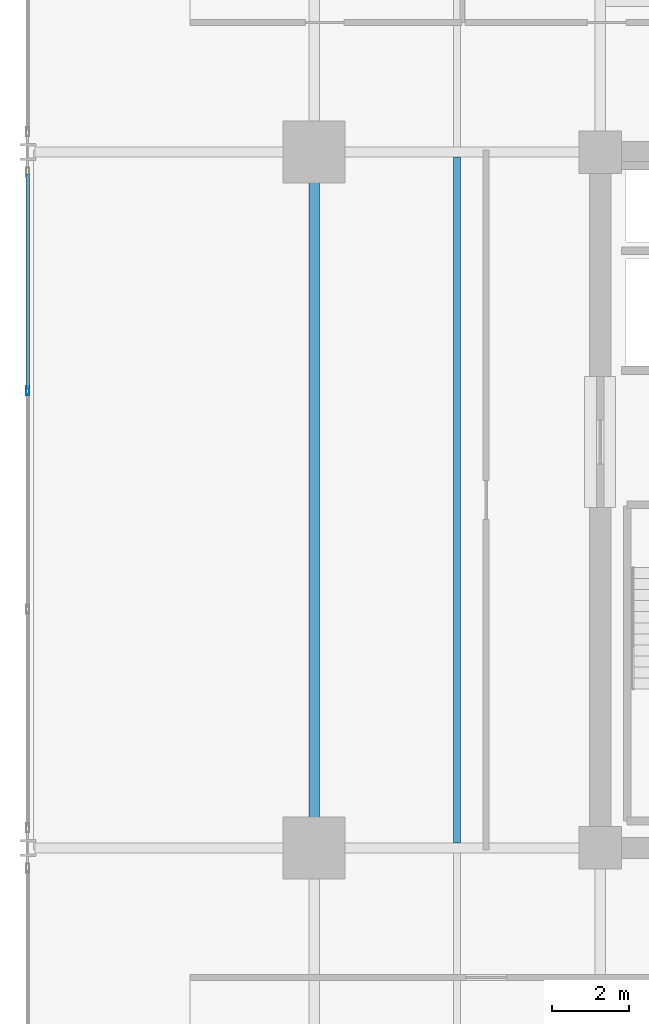
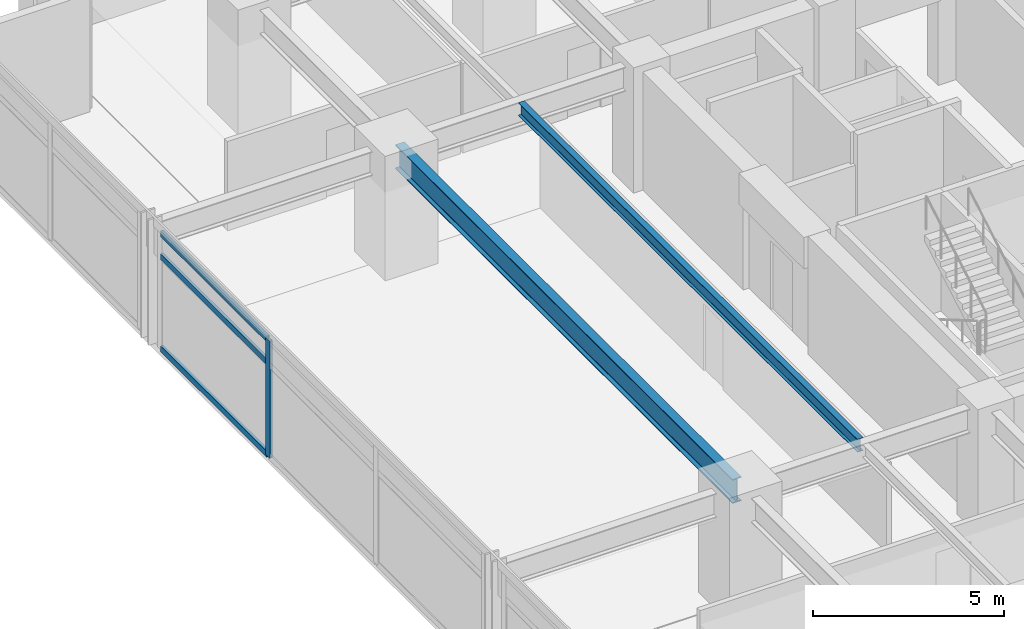
# One storey, part 6 of 23: 4 members, 2 beams, 1 element without a shape of its own.
"""IFC4 building model written with IfcOpenShell, lengths in metres."""

from ifc_helpers import new_model, si_unit, direction, frame, origin, origin_2d, place, context, subcontext, project, spatial, hollow_rectangle, i_section, extrude, material, material_profile, profile_set, type_object, element, aggregate, save


model = new_model("IFC4")

# Units and contexts
model_context = context("Model", 3, precision=1e-05, world=origin(), true_north=direction((0.0, 1.0)))
body_context = subcontext(model_context, "Body", "Model", "MODEL_VIEW")
ifc_project = project(units=[si_unit("LENGTHUNIT", "METRE"), si_unit("AREAUNIT", "SQUARE_METRE"), si_unit("VOLUMEUNIT", "CUBIC_METRE"), si_unit("PLANEANGLEUNIT", "RADIAN"), si_unit("MASSUNIT", "GRAM", prefix="KILO")], contexts=[model_context])

# Site, building, storey
site_placement = place(None, origin())
site = spatial("IfcSite", under=ifc_project, at=site_placement, CompositionType="ELEMENT")
building_placement = place(site_placement, origin())
building = spatial("IfcBuilding", under=site, at=building_placement, Name="Kovane Verandah Tower", CompositionType="ELEMENT")
storey_placement = place(building_placement, frame((0.0, 0.0, 148.39990234375)))
storey = spatial("IfcBuildingStorey", under=building, at=storey_placement, Name="L34", CompositionType="ELEMENT", Elevation=148.39990234375)

# Beam
ifc_material_1 = material(Name="Steel S355", Category="steel")
ifc_material_profile_1 = material_profile(ifc_material_1, i_section(OverallWidth=0.26806640625, OverallDepth=0.769775390625, WebThickness=0.015625, FlangeThickness=0.025390625, FilletRadius=0.0166015625, at=origin_2d()), Name="UB762x267x197")
ifc_profile_set_1 = profile_set([ifc_material_profile_1], Name="Steel S355")
beam_type_1 = type_object("IfcBeamType", Name="BM-UB762x197", PredefinedType="BEAM", material=ifc_profile_set_1)
beam_1_placement = place(storey_placement, frame((21.60009765625, 18.679931640625, 3.39013671875), z_axis=(0.0, 1.0, 0.0), x_axis=(-1.0, 0.0, 0.0)))
element("IfcBeam", 1, at=beam_1_placement, inside=storey, type_object=beam_type_1, Name="L34 Primary Tower Girder G-RW2", PredefinedType="BEAM", context=body_context, shape_type="SweptSolid", body=[
    extrude(i_section(OverallWidth=0.26806640625, OverallDepth=0.769775390625, WebThickness=0.015625, FlangeThickness=0.025390625, FilletRadius=0.0166015625, at=origin_2d()), origin(), (0.0, 0.0, 1.0), 17.64013671875),
])

# Curtain wall, members
ifc_material_2 = material(Name="Champagne Anodised Aluminium Frame with Low-E Clear Laminated Glass", Category="aluminium")
curtain_wall_type = type_object("IfcCurtainWallType", Name="CW-SYS-03-MID", PredefinedType="NOTDEFINED", material=ifc_material_2)
curtain_wall_placement = place(storey_placement, origin())
curtain_wall = element("IfcCurtainWall", 2, at=curtain_wall_placement, inside=storey, type_object=curtain_wall_type, Name="L34 W Unitised Curtain Wall-2", PredefinedType="NOTDEFINED")
ifc_material_3 = material(Name="Champagne Anodised Aluminium 6063-T6", Category="aluminium")
ifc_material_profile_2 = material_profile(ifc_material_3, hollow_rectangle(XDim=0.0849609375, YDim=0.22998046875, WallThickness=0.00390625, at=origin_2d()), Name="AL85x230x4")
ifc_profile_set_2 = profile_set([ifc_material_profile_2], Name="Champagne Anodised Aluminium 6063-T6")
member_type_1 = type_object("IfcMemberType", Name="CW-MUL-85x230", PredefinedType="MULLION", material=ifc_profile_set_2)
member_1_placement = place(storey_placement, frame((14.19482421875, 30.32666015625, 0.02001953125), z_axis=(0.0, 0.0, 1.0), x_axis=(-1.0, 0.0, 0.0)))
member_1 = element("IfcMember", 3, at=member_1_placement, type_object=member_type_1, Name="L34 W Unitised Curtain Wall-2 Mullion 2", PredefinedType="MULLION", context=body_context, shape_type="SweptSolid", body=[
    extrude(hollow_rectangle(XDim=0.0849609375, YDim=0.22998046875, WallThickness=0.00390625, at=origin_2d()), origin(), (0.0, 0.0, 1.0), 3.735107421875),
])
ifc_material_profile_3 = material_profile(ifc_material_3, hollow_rectangle(XDim=0.0849609375, YDim=0.18994140625, WallThickness=0.00390625, at=origin_2d()), Name="AL85x190x4")
ifc_profile_set_3 = profile_set([ifc_material_profile_3], Name="Champagne Anodised Aluminium 6063-T6")
member_type_2 = type_object("IfcMemberType", Name="CW-TRN-85x190", PredefinedType="USERDEFINED", material=ifc_profile_set_3)
member_2_placement = place(storey_placement, frame((14.19482421875, 35.929931640625, 0.050048828125), z_axis=(0.0, -1.0, 0.0), x_axis=(1.0, 0.0, 0.0)))
member_2 = element("IfcMember", 4, at=member_2_placement, type_object=member_type_2, Name="L34 W Unitised Curtain Wall-2 Transom TB Bay 1", ObjectType="TRANSOM", PredefinedType="USERDEFINED", context=body_context, shape_type="SweptSolid", body=[
    extrude(hollow_rectangle(XDim=0.0849609375, YDim=0.18994140625, WallThickness=0.00390625, at=origin_2d()), origin(), (0.0, 0.0, 1.0), 5.55322265625),
])
member_3_placement = place(storey_placement, frame((14.19482421875, 35.929931640625, 2.9951171875), z_axis=(0.0, -1.0, 0.0), x_axis=(1.0, 0.0, 0.0)))
member_3 = element("IfcMember", 5, at=member_3_placement, type_object=member_type_2, Name="L34 W Unitised Curtain Wall-2 Transom TM Bay 1", ObjectType="TRANSOM", PredefinedType="USERDEFINED", context=body_context, shape_type="SweptSolid", body=[
    extrude(hollow_rectangle(XDim=0.0849609375, YDim=0.18994140625, WallThickness=0.00390625, at=origin_2d()), origin(), (0.0, 0.0, 1.0), 5.55322265625),
])
member_4_placement = place(storey_placement, frame((14.19482421875, 35.929931640625, 3.72509765625), z_axis=(0.0, -1.0, 0.0), x_axis=(1.0, 0.0, 0.0)))
member_4 = element("IfcMember", 6, at=member_4_placement, type_object=member_type_2, Name="L34 W Unitised Curtain Wall-2 Transom TT Bay 1", ObjectType="TRANSOM", PredefinedType="USERDEFINED", context=body_context, shape_type="SweptSolid", body=[
    extrude(hollow_rectangle(XDim=0.0849609375, YDim=0.18994140625, WallThickness=0.00390625, at=origin_2d()), origin(), (0.0, 0.0, 1.0), 5.55322265625),
])
aggregate(curtain_wall, [member_1, member_2, member_3, member_4])

# Beam
ifc_material_profile_4 = material_profile(ifc_material_1, i_section(OverallWidth=0.179443359375, OverallDepth=0.412841796875, WebThickness=0.009521484375, FlangeThickness=0.01611328125, FilletRadius=0.01025390625, at=origin_2d()), Name="UB406x178x74")
ifc_profile_set_4 = profile_set([ifc_material_profile_4], Name="Steel S355")
beam_type_2 = type_object("IfcBeamType", Name="JST-UB406x74", PredefinedType="JOIST", material=ifc_profile_set_4)
beam_2_placement = place(storey_placement, frame((25.300048828125, 18.632080078125, 3.568603515625), z_axis=(0.0, 1.0, 0.0), x_axis=(-1.0, 0.0, 0.0)))
element("IfcBeam", 7, at=beam_2_placement, inside=storey, type_object=beam_type_2, Name="L34 Secondary Composite Joist J-W1", PredefinedType="JOIST", context=body_context, shape_type="SweptSolid", body=[
    extrude(i_section(OverallWidth=0.179443359375, OverallDepth=0.412841796875, WebThickness=0.009521484375, FlangeThickness=0.01611328125, FilletRadius=0.01025390625, at=origin_2d()), origin(), (0.0, 0.0, 1.0), 17.73583984375),
])

save(model, "model.ifc")
